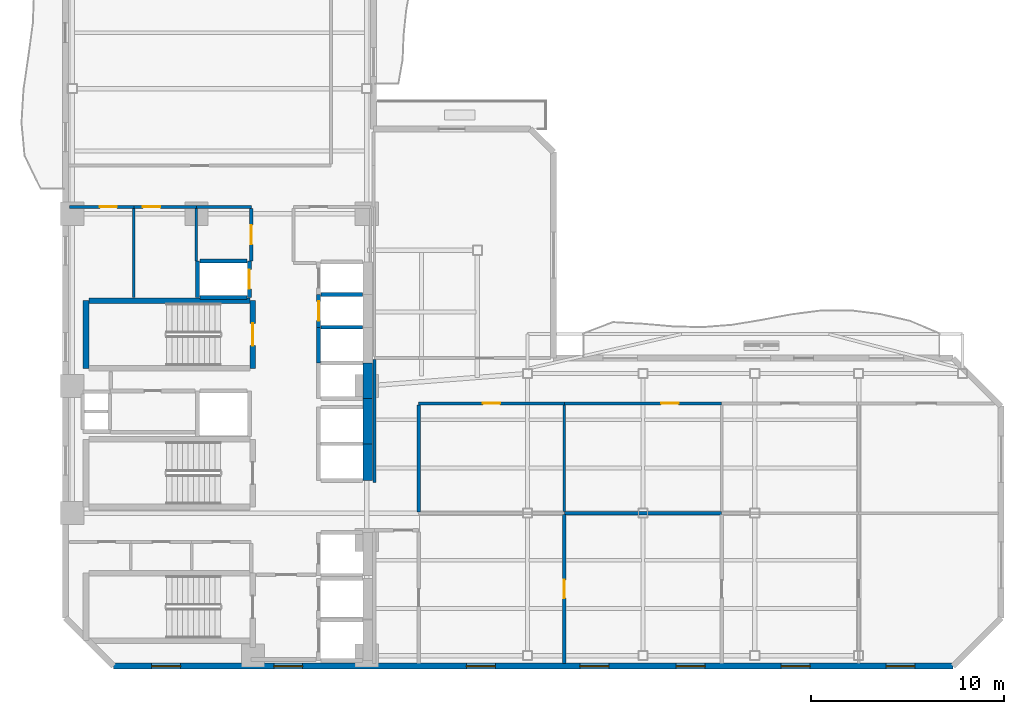
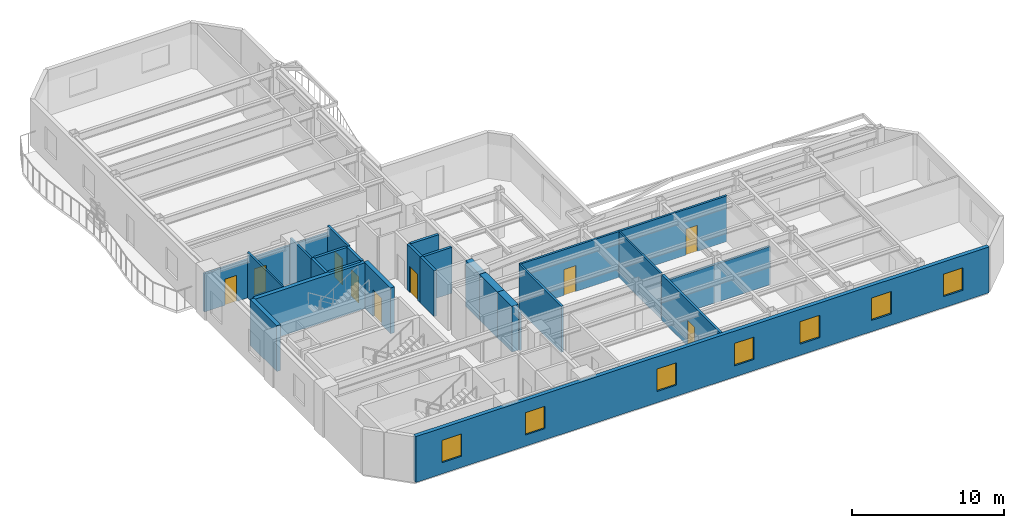
# One storey, part 4 of 10: 28 walls, 9 doors, 7 windows, 16 openings.
"""IFC4 building model written with IfcOpenShell, lengths in metres."""

from ifc_helpers import new_model, si_unit, direction, frame, frame_2d, origin, place, context, subcontext, project, spatial, rectangle, extrude, material, layer, layer_set, type_object, element, fill, save


model = new_model("IFC4")

# Units and contexts
model_context = context("Model", 3, precision=1e-05, world=origin(), true_north=direction((0.0, 1.0)))
body_context = subcontext(model_context, "Body", "Model", "MODEL_VIEW")
ifc_project = project(units=[si_unit("LENGTHUNIT", "METRE"), si_unit("AREAUNIT", "SQUARE_METRE"), si_unit("VOLUMEUNIT", "CUBIC_METRE"), si_unit("PLANEANGLEUNIT", "RADIAN"), si_unit("MASSUNIT", "GRAM", prefix="KILO")], contexts=[model_context])

# Site, building, storey
site_placement = place(None, origin())
site = spatial("IfcSite", under=ifc_project, at=site_placement, CompositionType="ELEMENT")
building_placement = place(site_placement, origin())
building = spatial("IfcBuilding", under=site, at=building_placement, Name="Mawjaban Terraces University", CompositionType="ELEMENT")
storey_placement = place(building_placement, frame((0.0, 0.0, 122.89990234375)))
storey = spatial("IfcBuildingStorey", under=building, at=storey_placement, Name="L29", CompositionType="ELEMENT", Elevation=122.89990234375)

# Wall
ifc_material_1 = material(Name="Acoustic masonry blockwork", Category="masonry")
ifc_layer_1 = layer(ifc_material_1, 0.179931640625)
ifc_layer_set_1 = layer_set([ifc_layer_1], Name="Acoustic masonry blockwork")
wall_type_1 = type_object("IfcWallType", Name="AcousticStudioWall_180", PredefinedType="PARTITIONING", material=ifc_layer_set_1)
wall_1_placement = place(storey_placement, frame((56.080078125, 7.949951171875, 0.0), z_axis=(0.0, 0.0, 1.0), x_axis=(-1.0, 0.0, 0.0)))
element("IfcWall", 1, at=wall_1_placement, inside=storey, type_object=wall_type_1, Name="L29 Media Workshop 4 Partition 21", PredefinedType="PARTITIONING", context=body_context, shape_type="SweptSolid", body=[
    extrude(rectangle(XDim=8.170166015625, YDim=0.179931640625, at=frame_2d((4.0849609375, 0.0))), origin(), (0.0, 0.0, 1.0), 3.072998046875),
])

# Wall, opening, door
wall_2_placement = place(storey_placement, frame((47.909912109375, 0.14501953125, 0.0), z_axis=(0.0, 0.0, 1.0), x_axis=(0.0, 1.0, 0.0)))
wall_2 = element("IfcWall", 2, at=wall_2_placement, inside=storey, type_object=wall_type_1, Name="L29 Quiet Reading Room 2 Partition 44", PredefinedType="PARTITIONING", context=body_context, shape_type="SweptSolid", body=[
    extrude(rectangle(XDim=7.719970703125, YDim=0.179931640625, at=frame_2d((3.85986328125, 0.0))), origin(), (0.0, 0.0, 1.0), 3.690185546875),
])
opening_1_placement = place(wall_2_placement, frame((3.385009765625, 0.0, 0.0)))
opening_1 = element("IfcOpeningElement", 3, at=opening_1_placement, cuts=wall_2, Name="Opening ID-095", PredefinedType="OPENING", context=body_context, shape_type="SweptSolid", body=[
    extrude(rectangle(XDim=0.949951171875, YDim=2.10009765625, at=frame_2d((0.47509765625, 1.050048828125))), frame((0.0, 0.099853515625, 0.0), z_axis=(0.0, -1.0, 0.0), x_axis=(1.0, 0.0, 0.0)), (0.0, 0.0, 1.0), 0.199951171875),
])
ifc_material_2 = material(Name="Powder-coated steel frame and solid acoustic timber leaf", Category="steel")
door_type_1 = type_object("IfcDoorType", Name="StudioDoor_950x2100", OperationType="NOTDEFINED", PredefinedType="DOOR", material=ifc_material_2)
door_1_placement = place(opening_1_placement, origin())
door_1 = element("IfcDoor", 4, at=door_1_placement, inside=storey, type_object=door_type_1, Name="L29 Media Workshop 4 Door", OperationType="SINGLE_SWING_RIGHT", OverallHeight=2.10009765625, OverallWidth=0.949951171875, PredefinedType="DOOR", context=body_context, shape_type="SweptSolid", body=[
    extrude(rectangle(XDim=0.949951171875, YDim=2.10009765625, at=frame_2d((0.47509765625, 1.050048828125))), frame((0.0, 0.02490234375, 0.0), z_axis=(0.0, -1.0, 0.0), x_axis=(1.0, 0.0, 0.0)), (0.0, 0.0, 1.0), 0.050048828125),
])
fill(opening_1, door_1)

# Walls
ifc_material_3 = material(Name="Concrete C60/75", Category="concrete")
ifc_layer_2 = layer(ifc_material_3, 0.5)
ifc_layer_set_2 = layer_set([ifc_layer_2], Name="Concrete C60/75")
wall_type_2 = type_object("IfcWallType", Name="CoreShearWall_500", PredefinedType="SHEAR", material=ifc_layer_set_2)
wall_3_placement = place(storey_placement, frame((37.699951171875, 9.64990234375, 0.0), z_axis=(0.0, 0.0, 1.0), x_axis=(0.0, 1.0, 0.0)))
element("IfcWall", 5, at=wall_3_placement, inside=storey, type_object=wall_type_2, Name="L29 Lift PL-H1 Hoistway Wall East", PredefinedType="SHEAR", context=body_context, shape_type="SweptSolid", body=[
    extrude(rectangle(XDim=1.900146484375, YDim=0.5, at=frame_2d((0.9501953125, 0.0))), origin(), (0.0, 0.0, 1.0), 3.690185546875),
])
wall_4_placement = place(storey_placement, frame((37.699951171875, 11.550048828125, 0.0), z_axis=(0.0, 0.0, 1.0), x_axis=(0.0, 1.0, 0.0)))
element("IfcWall", 6, at=wall_4_placement, inside=storey, type_object=wall_type_2, Name="L29 Lift PL-H2 Hoistway Wall East", PredefinedType="SHEAR", context=body_context, shape_type="SweptSolid", body=[
    extrude(rectangle(XDim=2.349853515625, YDim=0.5, at=frame_2d((1.1748046875, 0.0))), origin(), (0.0, 0.0, 1.0), 3.690185546875),
])
wall_5_placement = place(storey_placement, frame((37.699951171875, 13.89990234375, 0.0), z_axis=(0.0, 0.0, 1.0), x_axis=(0.0, 1.0, 0.0)))
element("IfcWall", 7, at=wall_5_placement, inside=storey, type_object=wall_type_2, Name="L29 Lift OL-1 Hoistway Wall East", PredefinedType="SHEAR", context=body_context, shape_type="SweptSolid", body=[
    extrude(rectangle(XDim=1.85009765625, YDim=0.5, at=frame_2d((0.925048828125, 0.0))), origin(), (0.0, 0.0, 1.0), 3.690185546875),
])

# Wall, opening, door
ifc_material_4 = material(Name="Fire-rated gypsum board on steel stud", Category="steel")
ifc_layer_3 = layer(ifc_material_4, 0.159912109375)
ifc_layer_set_3 = layer_set([ifc_layer_3], Name="Fire-rated gypsum board on steel stud")
wall_type_3 = type_object("IfcWallType", Name="CorridorPartition_160", PredefinedType="PARTITIONING", material=ifc_layer_set_3)
wall_6_placement = place(storey_placement, frame((25.550048828125, 23.85009765625, 0.0), z_axis=(0.0, 0.0, 1.0), x_axis=(-1.0, 0.0, 0.0)))
wall_6 = element("IfcWall", 8, at=wall_6_placement, inside=storey, type_object=wall_type_3, Name="L29 Ablution Room Partition 5", PredefinedType="PARTITIONING", context=body_context, shape_type="SweptSolid", body=[
    extrude(rectangle(XDim=3.35009765625, YDim=0.159912109375, at=frame_2d((1.675048828125, 0.0))), origin(), (0.0, 0.0, 1.0), 3.072998046875),
])
opening_2_placement = place(wall_6_placement, frame((0.885009765625, 0.0, 0.0)))
opening_2 = element("IfcOpeningElement", 9, at=opening_2_placement, cuts=wall_6, Name="Opening ID-088", PredefinedType="OPENING", context=body_context, shape_type="SweptSolid", body=[
    extrude(rectangle(XDim=0.8798828125, YDim=2.10009765625, at=frame_2d((0.43994140625, 1.050048828125))), frame((0.0, 0.08984375, 0.0), z_axis=(0.0, -1.0, 0.0), x_axis=(1.0, 0.0, 0.0)), (0.0, 0.0, 1.0), 0.179931640625),
])
door_type_2 = type_object("IfcDoorType", Name="ToiletDoor_880x2100", OperationType="NOTDEFINED", PredefinedType="DOOR", material=ifc_material_2)
door_2_placement = place(opening_2_placement, origin())
door_2 = element("IfcDoor", 10, at=door_2_placement, inside=storey, type_object=door_type_2, Name="L29 Ablution Room Door", OperationType="SINGLE_SWING_LEFT", OverallHeight=2.10009765625, OverallWidth=0.8798828125, PredefinedType="DOOR", context=body_context, shape_type="SweptSolid", body=[
    extrude(rectangle(XDim=0.8798828125, YDim=2.10009765625, at=frame_2d((0.43994140625, 1.050048828125))), frame((0.0, 0.02490234375, 0.0), z_axis=(0.0, -1.0, 0.0), x_axis=(1.0, 0.0, 0.0)), (0.0, 0.0, 1.0), 0.050048828125),
])
fill(opening_2, door_2)

wall_7_placement = place(storey_placement, frame((28.800048828125, 23.85009765625, 0.0), z_axis=(0.0, 0.0, 1.0), x_axis=(-1.0, 0.0, 0.0)))
wall_7 = element("IfcWall", 11, at=wall_7_placement, inside=storey, type_object=wall_type_3, Name="L29 Cleaner Store Partition 7", PredefinedType="PARTITIONING", context=body_context, shape_type="SweptSolid", body=[
    extrude(rectangle(XDim=3.25, YDim=0.159912109375, at=frame_2d((1.625, 0.0))), origin(), (0.0, 0.0, 1.0), 3.072998046875),
])
opening_3_placement = place(wall_7_placement, frame((1.875, 0.0, 0.0)))
opening_3 = element("IfcOpeningElement", 12, at=opening_3_placement, cuts=wall_7, Name="Opening ID-090", PredefinedType="OPENING", context=body_context, shape_type="SweptSolid", body=[
    extrude(rectangle(XDim=0.89990234375, YDim=2.10009765625, at=frame_2d((0.449951171875, 1.050048828125))), frame((0.0, 0.08984375, 0.0), z_axis=(0.0, -1.0, 0.0), x_axis=(1.0, 0.0, 0.0)), (0.0, 0.0, 1.0), 0.179931640625),
])
door_type_3 = type_object("IfcDoorType", Name="OfficeDoor_900x2100", OperationType="NOTDEFINED", PredefinedType="DOOR", material=ifc_material_2)
door_3_placement = place(opening_3_placement, origin())
door_3 = element("IfcDoor", 13, at=door_3_placement, inside=storey, type_object=door_type_3, Name="L29 Cleaner Store Door", OperationType="SINGLE_SWING_RIGHT", OverallHeight=2.10009765625, OverallWidth=0.89990234375, PredefinedType="DOOR", context=body_context, shape_type="SweptSolid", body=[
    extrude(rectangle(XDim=0.89990234375, YDim=2.10009765625, at=frame_2d((0.449951171875, 1.050048828125))), frame((0.0, 0.02490234375, 0.0), z_axis=(0.0, -1.0, 0.0), x_axis=(1.0, 0.0, 0.0)), (0.0, 0.0, 1.0), 0.050048828125),
])
fill(opening_3, door_3)

# Wall
wall_8_placement = place(storey_placement, frame((31.64990234375, 23.85009765625, 0.0), z_axis=(0.0, 0.0, 1.0), x_axis=(-1.0, 0.0, 0.0)))
element("IfcWall", 14, at=wall_8_placement, inside=storey, type_object=wall_type_3, Name="L29 Academic Tutorial Alcove Partition 9", PredefinedType="PARTITIONING", context=body_context, shape_type="SweptSolid", body=[
    extrude(rectangle(XDim=2.849853515625, YDim=0.159912109375, at=frame_2d((1.4248046875, 0.0))), origin(), (0.0, 0.0, 1.0), 3.072998046875),
])

# Wall, opening, door
wall_9_placement = place(storey_placement, frame((40.35009765625, 13.64990234375, 0.0), z_axis=(0.0, 0.0, 1.0), x_axis=(1.0, 0.0, 0.0)))
wall_9 = element("IfcWall", 15, at=wall_9_placement, inside=storey, type_object=wall_type_3, Name="L29 Inner Terrace Gallery Corridor East Partition 16", PredefinedType="PARTITIONING", context=body_context, shape_type="SweptSolid", body=[
    extrude(rectangle(XDim=7.559814453125, YDim=0.159912109375, at=frame_2d((3.77978515625, 0.0))), origin(), (0.0, 0.0, 1.0), 3.690185546875),
])
opening_4_placement = place(wall_9_placement, frame((3.330078125, 0.0, 0.0)))
opening_4 = element("IfcOpeningElement", 16, at=opening_4_placement, cuts=wall_9, Name="Opening ID-090", PredefinedType="OPENING", context=body_context, shape_type="SweptSolid", body=[
    extrude(rectangle(XDim=0.89990234375, YDim=2.10009765625, at=frame_2d((0.449951171875, 1.050048828125))), frame((0.0, 0.08984375, 0.0), z_axis=(0.0, -1.0, 0.0), x_axis=(1.0, 0.0, 0.0)), (0.0, 0.0, 1.0), 0.179931640625),
])
door_4_placement = place(opening_4_placement, origin())
door_4 = element("IfcDoor", 17, at=door_4_placement, inside=storey, type_object=door_type_3, Name="L29 Reading Salon 3 Door", OperationType="SINGLE_SWING_LEFT", OverallHeight=2.10009765625, OverallWidth=0.89990234375, PredefinedType="DOOR", context=body_context, shape_type="SweptSolid", body=[
    extrude(rectangle(XDim=0.89990234375, YDim=2.10009765625, at=frame_2d((0.449951171875, 1.050048828125))), frame((0.0, 0.02490234375, 0.0), z_axis=(0.0, -1.0, 0.0), x_axis=(1.0, 0.0, 0.0)), (0.0, 0.0, 1.0), 0.050048828125),
])
fill(opening_4, door_4)

wall_10_placement = place(storey_placement, frame((47.909912109375, 13.64990234375, 0.0), z_axis=(0.0, 0.0, 1.0), x_axis=(1.0, 0.0, 0.0)))
wall_10 = element("IfcWall", 18, at=wall_10_placement, inside=storey, type_object=wall_type_3, Name="L29 Inner Terrace Gallery Corridor East Partition 20", PredefinedType="PARTITIONING", context=body_context, shape_type="SweptSolid", body=[
    extrude(rectangle(XDim=8.170166015625, YDim=0.159912109375, at=frame_2d((4.0849609375, 0.0))), origin(), (0.0, 0.0, 1.0), 3.690185546875),
])
opening_5_placement = place(wall_10_placement, frame((5.034912109375, 0.0, 0.0)))
opening_5 = element("IfcOpeningElement", 19, at=opening_5_placement, cuts=wall_10, Name="Opening ID-090", PredefinedType="OPENING", context=body_context, shape_type="SweptSolid", body=[
    extrude(rectangle(XDim=0.89990234375, YDim=2.10009765625, at=frame_2d((0.449951171875, 1.050048828125))), frame((0.0, 0.08984375, 0.0), z_axis=(0.0, -1.0, 0.0), x_axis=(1.0, 0.0, 0.0)), (0.0, 0.0, 1.0), 0.179931640625),
])
door_5_placement = place(opening_5_placement, origin())
door_5 = element("IfcDoor", 20, at=door_5_placement, inside=storey, type_object=door_type_3, Name="L29 Quiet Reading Room 5 Door", OperationType="SINGLE_SWING_LEFT", OverallHeight=2.10009765625, OverallWidth=0.89990234375, PredefinedType="DOOR", context=body_context, shape_type="SweptSolid", body=[
    extrude(rectangle(XDim=0.89990234375, YDim=2.10009765625, at=frame_2d((0.449951171875, 1.050048828125))), frame((0.0, 0.02490234375, 0.0), z_axis=(0.0, -1.0, 0.0), x_axis=(1.0, 0.0, 0.0)), (0.0, 0.0, 1.0), 0.050048828125),
])
fill(opening_5, door_5)

wall_11_placement = place(storey_placement, frame((31.64990234375, 23.77490234375, 0.0), z_axis=(0.0, 0.0, 1.0), x_axis=(0.0, -1.0, 0.0)))
wall_11 = element("IfcWall", 21, at=wall_11_placement, inside=storey, type_object=wall_type_3, Name="L29 Core North Lift Lobby Partition 32", PredefinedType="PARTITIONING", context=body_context, shape_type="SweptSolid", body=[
    extrude(rectangle(XDim=2.724853515625, YDim=0.159912109375, at=frame_2d((1.3623046875, 0.0))), origin(), (0.0, 0.0, 1.0), 3.690185546875),
])
opening_6_placement = place(wall_11_placement, frame((0.862060546875, 0.0, 0.0)))
opening_6 = element("IfcOpeningElement", 22, at=opening_6_placement, cuts=wall_11, Name="Opening ID-100", PredefinedType="OPENING", context=body_context, shape_type="SweptSolid", body=[
    extrude(rectangle(XDim=1.0, YDim=2.10009765625, at=frame_2d((0.5, 1.050048828125))), frame((0.0, 0.08984375, 0.0), z_axis=(0.0, -1.0, 0.0), x_axis=(1.0, 0.0, 0.0)), (0.0, 0.0, 1.0), 0.179931640625),
])
door_type_4 = type_object("IfcDoorType", Name="ClassroomDoor_1000x2100", OperationType="NOTDEFINED", PredefinedType="DOOR", material=ifc_material_2)
door_6_placement = place(opening_6_placement, origin())
door_6 = element("IfcDoor", 23, at=door_6_placement, inside=storey, type_object=door_type_4, Name="L29 Academic Tutorial Alcove Door", OperationType="SINGLE_SWING_RIGHT", OverallHeight=2.10009765625, OverallWidth=1.0, PredefinedType="DOOR", context=body_context, shape_type="SweptSolid", body=[
    extrude(rectangle(XDim=1.0, YDim=2.10009765625, at=frame_2d((0.5, 1.050048828125))), frame((0.0, 0.02490234375, 0.0), z_axis=(0.0, -1.0, 0.0), x_axis=(1.0, 0.0, 0.0)), (0.0, 0.0, 1.0), 0.050048828125),
])
fill(opening_6, door_6)

# Walls
wall_12_placement = place(storey_placement, frame((38.050048828125, 15.925048828125, 0.0), z_axis=(0.0, 0.0, 1.0), x_axis=(0.0, -1.0, 0.0)))
element("IfcWall", 24, at=wall_12_placement, inside=storey, type_object=wall_type_3, Name="L29 Inner Gallery Link Corridor Partition 40", PredefinedType="PARTITIONING", context=body_context, shape_type="SweptSolid", body=[
    extrude(rectangle(XDim=6.375, YDim=0.159912109375, at=frame_2d((3.1875, 0.0))), origin(), (0.0, 0.0, 1.0), 3.072998046875),
])
wall_13_placement = place(storey_placement, frame((40.35009765625, 8.008056640625, 0.0), z_axis=(0.0, 0.0, 1.0), x_axis=(0.0, 1.0, 0.0)))
element("IfcWall", 25, at=wall_13_placement, inside=storey, type_object=wall_type_3, Name="L29 Inner Gallery Link Corridor Partition 43", PredefinedType="PARTITIONING", context=body_context, shape_type="SweptSolid", body=[
    extrude(rectangle(XDim=5.56689453125, YDim=0.159912109375, at=frame_2d((2.783447265625, 0.0))), origin(), (0.0, 0.0, 1.0), 3.690185546875),
])

# Wall, openings, windows
ifc_material_5 = material(Name="Insulated terracotta rainscreen on concrete backup C40/50", Category="masonry")
ifc_layer_4 = layer(ifc_material_5, 0.300048828125)
ifc_layer_set_4 = layer_set([ifc_layer_4], Name="Insulated terracotta rainscreen on concrete backup C40/50")
wall_type_4 = type_object("IfcWallType", Name="ExtTerracottaWall_300", PredefinedType="SOLIDWALL", material=ifc_layer_set_4)
wall_14_placement = place(storey_placement, frame((24.5, 0.0, 0.0), z_axis=(0.0, 0.0, 1.0), x_axis=(1.0, 0.0, 0.0)))
wall_14 = element("IfcWall", 26, at=wall_14_placement, inside=storey, type_object=wall_type_4, Name="L29 Exterior Terracotta Wall 1", PredefinedType="SOLIDWALL", context=body_context, shape_type="SweptSolid", body=[
    extrude(rectangle(XDim=43.60009765625, YDim=0.300048828125, at=frame_2d((21.800048828125, 0.0))), origin(), (0.0, 0.0, 1.0), 3.690185546875),
])
opening_7_placement = place(wall_14_placement, frame((1.97509765625, 0.0, 0.89990234375)))
opening_7 = element("IfcOpeningElement", 27, at=opening_7_placement, cuts=wall_14, Name="Opening W-06", PredefinedType="OPENING", context=body_context, shape_type="SweptSolid", body=[
    extrude(rectangle(XDim=1.5, YDim=1.800048828125, at=frame_2d((0.75, 0.89990234375))), frame((0.0, 0.159912109375, 0.0), z_axis=(0.0, -1.0, 0.0), x_axis=(1.0, 0.0, 0.0)), (0.0, 0.0, 1.0), 0.320068359375),
])
opening_8_placement = place(wall_14_placement, frame((8.324951171875, 0.0, 0.89990234375)))
opening_8 = element("IfcOpeningElement", 28, at=opening_8_placement, cuts=wall_14, Name="Opening W-06", PredefinedType="OPENING", context=body_context, shape_type="SweptSolid", body=[
    extrude(rectangle(XDim=1.5, YDim=1.800048828125, at=frame_2d((0.75, 0.89990234375))), frame((0.0, 0.159912109375, 0.0), z_axis=(0.0, -1.0, 0.0), x_axis=(1.0, 0.0, 0.0)), (0.0, 0.0, 1.0), 0.320068359375),
])
opening_9_placement = place(wall_14_placement, frame((18.324951171875, 0.0, 0.89990234375)))
opening_9 = element("IfcOpeningElement", 29, at=opening_9_placement, cuts=wall_14, Name="Opening W-06", PredefinedType="OPENING", context=body_context, shape_type="SweptSolid", body=[
    extrude(rectangle(XDim=1.5, YDim=1.800048828125, at=frame_2d((0.75, 0.89990234375))), frame((0.0, 0.159912109375, 0.0), z_axis=(0.0, -1.0, 0.0), x_axis=(1.0, 0.0, 0.0)), (0.0, 0.0, 1.0), 0.320068359375),
])
opening_10_placement = place(wall_14_placement, frame((24.22509765625, 0.0, 0.89990234375)))
opening_10 = element("IfcOpeningElement", 30, at=opening_10_placement, cuts=wall_14, Name="Opening W-06", PredefinedType="OPENING", context=body_context, shape_type="SweptSolid", body=[
    extrude(rectangle(XDim=1.5, YDim=1.800048828125, at=frame_2d((0.75, 0.89990234375))), frame((0.0, 0.159912109375, 0.0), z_axis=(0.0, -1.0, 0.0), x_axis=(1.0, 0.0, 0.0)), (0.0, 0.0, 1.0), 0.320068359375),
])
opening_11_placement = place(wall_14_placement, frame((29.22509765625, 0.0, 0.89990234375)))
opening_11 = element("IfcOpeningElement", 31, at=opening_11_placement, cuts=wall_14, Name="Opening W-06", PredefinedType="OPENING", context=body_context, shape_type="SweptSolid", body=[
    extrude(rectangle(XDim=1.5, YDim=1.800048828125, at=frame_2d((0.75, 0.89990234375))), frame((0.0, 0.159912109375, 0.0), z_axis=(0.0, -1.0, 0.0), x_axis=(1.0, 0.0, 0.0)), (0.0, 0.0, 1.0), 0.320068359375),
])
opening_12_placement = place(wall_14_placement, frame((34.675048828125, 0.0, 0.89990234375)))
opening_12 = element("IfcOpeningElement", 32, at=opening_12_placement, cuts=wall_14, Name="Opening W-06", PredefinedType="OPENING", context=body_context, shape_type="SweptSolid", body=[
    extrude(rectangle(XDim=1.5, YDim=1.800048828125, at=frame_2d((0.75, 0.89990234375))), frame((0.0, 0.159912109375, 0.0), z_axis=(0.0, -1.0, 0.0), x_axis=(1.0, 0.0, 0.0)), (0.0, 0.0, 1.0), 0.320068359375),
])
opening_13_placement = place(wall_14_placement, frame((40.125, 0.0, 0.89990234375)))
opening_13 = element("IfcOpeningElement", 33, at=opening_13_placement, cuts=wall_14, Name="Opening W-06", PredefinedType="OPENING", context=body_context, shape_type="SweptSolid", body=[
    extrude(rectangle(XDim=1.5, YDim=1.800048828125, at=frame_2d((0.75, 0.89990234375))), frame((0.0, 0.159912109375, 0.0), z_axis=(0.0, -1.0, 0.0), x_axis=(1.0, 0.0, 0.0)), (0.0, 0.0, 1.0), 0.320068359375),
])
ifc_material_6 = material(Name="Low-E solar-control double glazing in thermally broken aluminium frame", Category="aluminium")
window_type = type_object("IfcWindowType", Name="Win_1500x1800", PartitioningType="SINGLE_PANEL", PredefinedType="WINDOW", material=ifc_material_6)
window_1_placement = place(opening_7_placement, origin())
window_1 = element("IfcWindow", 34, at=window_1_placement, inside=storey, type_object=window_type, Name="L29 Facade Window 1.1", OverallHeight=1.800048828125, OverallWidth=1.5, PartitioningType="SINGLE_PANEL", PredefinedType="WINDOW", context=body_context, shape_type="SweptSolid", body=[
    extrude(rectangle(XDim=1.5, YDim=1.800048828125, at=frame_2d((0.75, 0.89990234375))), frame((0.0, 0.030029296875, 0.0), z_axis=(0.0, -1.0, 0.0), x_axis=(1.0, 0.0, 0.0)), (0.0, 0.0, 1.0), 0.06005859375),
])
fill(opening_7, window_1)
window_2_placement = place(opening_8_placement, origin())
window_2 = element("IfcWindow", 35, at=window_2_placement, inside=storey, type_object=window_type, Name="L29 Facade Window 1.2", OverallHeight=1.800048828125, OverallWidth=1.5, PartitioningType="SINGLE_PANEL", PredefinedType="WINDOW", context=body_context, shape_type="SweptSolid", body=[
    extrude(rectangle(XDim=1.5, YDim=1.800048828125, at=frame_2d((0.75, 0.89990234375))), frame((0.0, 0.030029296875, 0.0), z_axis=(0.0, -1.0, 0.0), x_axis=(1.0, 0.0, 0.0)), (0.0, 0.0, 1.0), 0.06005859375),
])
fill(opening_8, window_2)
window_3_placement = place(opening_9_placement, origin())
window_3 = element("IfcWindow", 36, at=window_3_placement, inside=storey, type_object=window_type, Name="L29 Facade Window 1.4", OverallHeight=1.800048828125, OverallWidth=1.5, PartitioningType="SINGLE_PANEL", PredefinedType="WINDOW", context=body_context, shape_type="SweptSolid", body=[
    extrude(rectangle(XDim=1.5, YDim=1.800048828125, at=frame_2d((0.75, 0.89990234375))), frame((0.0, 0.030029296875, 0.0), z_axis=(0.0, -1.0, 0.0), x_axis=(1.0, 0.0, 0.0)), (0.0, 0.0, 1.0), 0.06005859375),
])
fill(opening_9, window_3)
window_4_placement = place(opening_10_placement, origin())
window_4 = element("IfcWindow", 37, at=window_4_placement, inside=storey, type_object=window_type, Name="L29 Facade Window 1.5", OverallHeight=1.800048828125, OverallWidth=1.5, PartitioningType="SINGLE_PANEL", PredefinedType="WINDOW", context=body_context, shape_type="SweptSolid", body=[
    extrude(rectangle(XDim=1.5, YDim=1.800048828125, at=frame_2d((0.75, 0.89990234375))), frame((0.0, 0.030029296875, 0.0), z_axis=(0.0, -1.0, 0.0), x_axis=(1.0, 0.0, 0.0)), (0.0, 0.0, 1.0), 0.06005859375),
])
fill(opening_10, window_4)
window_5_placement = place(opening_11_placement, origin())
window_5 = element("IfcWindow", 38, at=window_5_placement, inside=storey, type_object=window_type, Name="L29 Facade Window 1.6", OverallHeight=1.800048828125, OverallWidth=1.5, PartitioningType="SINGLE_PANEL", PredefinedType="WINDOW", context=body_context, shape_type="SweptSolid", body=[
    extrude(rectangle(XDim=1.5, YDim=1.800048828125, at=frame_2d((0.75, 0.89990234375))), frame((0.0, 0.030029296875, 0.0), z_axis=(0.0, -1.0, 0.0), x_axis=(1.0, 0.0, 0.0)), (0.0, 0.0, 1.0), 0.06005859375),
])
fill(opening_11, window_5)
window_6_placement = place(opening_12_placement, origin())
window_6 = element("IfcWindow", 39, at=window_6_placement, inside=storey, type_object=window_type, Name="L29 Facade Window 1.7", OverallHeight=1.800048828125, OverallWidth=1.5, PartitioningType="SINGLE_PANEL", PredefinedType="WINDOW", context=body_context, shape_type="SweptSolid", body=[
    extrude(rectangle(XDim=1.5, YDim=1.800048828125, at=frame_2d((0.75, 0.89990234375))), frame((0.0, 0.030029296875, 0.0), z_axis=(0.0, -1.0, 0.0), x_axis=(1.0, 0.0, 0.0)), (0.0, 0.0, 1.0), 0.06005859375),
])
fill(opening_12, window_6)
window_7_placement = place(opening_13_placement, origin())
window_7 = element("IfcWindow", 40, at=window_7_placement, inside=storey, type_object=window_type, Name="L29 Facade Window 1.8", OverallHeight=1.800048828125, OverallWidth=1.5, PartitioningType="SINGLE_PANEL", PredefinedType="WINDOW", context=body_context, shape_type="SweptSolid", body=[
    extrude(rectangle(XDim=1.5, YDim=1.800048828125, at=frame_2d((0.75, 0.89990234375))), frame((0.0, 0.030029296875, 0.0), z_axis=(0.0, -1.0, 0.0), x_axis=(1.0, 0.0, 0.0)), (0.0, 0.0, 1.0), 0.06005859375),
])
fill(opening_13, window_7)

# Walls
ifc_material_7 = material(Name="Concrete C40/50", Category="concrete")
ifc_layer_5 = layer(ifc_material_7, 0.199951171875)
ifc_layer_set_5 = layer_set([ifc_layer_5], Name="Concrete C40/50")
wall_type_5 = type_object("IfcWallType", Name="FireLobbyWall_200", PredefinedType="SOLIDWALL", material=ifc_layer_set_5)
wall_15_placement = place(storey_placement, frame((35.14990234375, 17.60009765625, 0.0), z_axis=(0.0, 0.0, 1.0), x_axis=(0.0, -1.0, 0.0)))
element("IfcWall", 41, at=wall_15_placement, inside=storey, type_object=wall_type_5, Name="L29 Lift OL-2 Hoistway Wall West", PredefinedType="SOLIDWALL", context=body_context, shape_type="SweptSolid", body=[
    extrude(rectangle(XDim=1.85009765625, YDim=0.199951171875, at=frame_2d((0.925048828125, 0.0))), origin(), (0.0, 0.0, 1.0), 3.690185546875),
])
wall_16_placement = place(storey_placement, frame((37.419921875, 17.60009765625, 0.0), z_axis=(0.0, 0.0, 1.0), x_axis=(-1.0, 0.0, 0.0)))
element("IfcWall", 42, at=wall_16_placement, inside=storey, type_object=wall_type_5, Name="L29 Lift OL-2 Hoistway Wall North", PredefinedType="SOLIDWALL", context=body_context, shape_type="SweptSolid", body=[
    extrude(rectangle(XDim=2.139892578125, YDim=0.199951171875, at=frame_2d((1.06982421875, 0.0))), origin(), (0.0, 0.0, 1.0), 3.690185546875),
])

# Wall, opening, door
wall_17_placement = place(storey_placement, frame((35.14990234375, 19.300048828125, 0.0), z_axis=(0.0, 0.0, 1.0), x_axis=(0.0, -1.0, 0.0)))
wall_17 = element("IfcWall", 43, at=wall_17_placement, inside=storey, type_object=wall_type_5, Name="L29 Lift PL-M1 Hoistway Wall West", PredefinedType="SOLIDWALL", context=body_context, shape_type="SweptSolid", body=[
    extrude(rectangle(XDim=1.699951171875, YDim=0.199951171875, at=frame_2d((0.85009765625, 0.0))), origin(), (0.0, 0.0, 1.0), 3.690185546875),
])
opening_14_placement = place(wall_17_placement, frame((0.35009765625, 0.0, 0.0)))
opening_14 = element("IfcOpeningElement", 44, at=opening_14_placement, cuts=wall_17, Name="Opening LD-PL-M1", PredefinedType="OPENING", context=body_context, shape_type="SweptSolid", body=[
    extrude(rectangle(XDim=1.0, YDim=2.10009765625, at=frame_2d((0.5, 1.050048828125))), frame((0.0, 0.10986328125, 0.0), z_axis=(0.0, -1.0, 0.0), x_axis=(1.0, 0.0, 0.0)), (0.0, 0.0, 1.0), 0.219970703125),
])
ifc_material_8 = material(Name="Powder-coated steel frame and fire-rated steel-faced leaf", Category="steel")
door_type_5 = type_object("IfcDoorType", Name="LiftLandingSliding_1000x2100", OperationType="NOTDEFINED", PredefinedType="DOOR", material=ifc_material_8)
door_7_placement = place(opening_14_placement, origin())
door_7 = element("IfcDoor", 45, at=door_7_placement, inside=storey, type_object=door_type_5, Name="L29 Lift PL-M1 Sliding Landing Door", OperationType="DOUBLE_DOOR_SLIDING", OverallHeight=2.10009765625, OverallWidth=1.0, PredefinedType="DOOR", context=body_context, shape_type="SweptSolid", body=[
    extrude(rectangle(XDim=1.0, YDim=2.10009765625, at=frame_2d((0.5, 1.050048828125))), frame((0.0, 0.02490234375, 0.0), z_axis=(0.0, -1.0, 0.0), x_axis=(1.0, 0.0, 0.0)), (0.0, 0.0, 1.0), 0.050048828125),
])
fill(opening_14, door_7)

# Walls
wall_18_placement = place(storey_placement, frame((37.419921875, 19.300048828125, 0.0), z_axis=(0.0, 0.0, 1.0), x_axis=(-1.0, 0.0, 0.0)))
element("IfcWall", 46, at=wall_18_placement, inside=storey, type_object=wall_type_5, Name="L29 Lift PL-M1 Hoistway Wall North", PredefinedType="SOLIDWALL", context=body_context, shape_type="SweptSolid", body=[
    extrude(rectangle(XDim=2.139892578125, YDim=0.199951171875, at=frame_2d((1.06982421875, 0.0))), origin(), (0.0, 0.0, 1.0), 3.690185546875),
])
wall_19_placement = place(storey_placement, frame((28.85009765625, 21.050048828125, 0.0), z_axis=(0.0, 0.0, 1.0), x_axis=(0.0, -1.0, 0.0)))
element("IfcWall", 47, at=wall_19_placement, inside=storey, type_object=wall_type_5, Name="L29 Lift PL-M3 Hoistway Wall West", PredefinedType="SOLIDWALL", context=body_context, shape_type="SweptSolid", body=[
    extrude(rectangle(XDim=1.900146484375, YDim=0.199951171875, at=frame_2d((0.9501953125, 0.0))), origin(), (0.0, 0.0, 1.0), 3.690185546875),
])

# Wall, opening, door
wall_20_placement = place(storey_placement, frame((31.550048828125, 19.14990234375, 0.0), z_axis=(0.0, 0.0, 1.0), x_axis=(0.0, 1.0, 0.0)))
wall_20 = element("IfcWall", 48, at=wall_20_placement, inside=storey, type_object=wall_type_5, Name="L29 Lift PL-M3 Hoistway Wall East", PredefinedType="SOLIDWALL", context=body_context, shape_type="SweptSolid", body=[
    extrude(rectangle(XDim=1.900146484375, YDim=0.199951171875, at=frame_2d((0.9501953125, 0.0))), origin(), (0.0, 0.0, 1.0), 3.690185546875),
])
opening_15_placement = place(wall_20_placement, frame((0.449951171875, 0.0, 0.0)))
opening_15 = element("IfcOpeningElement", 49, at=opening_15_placement, cuts=wall_20, Name="Opening LD-PL-M3", PredefinedType="OPENING", context=body_context, shape_type="SweptSolid", body=[
    extrude(rectangle(XDim=1.0, YDim=2.10009765625, at=frame_2d((0.5, 1.050048828125))), frame((0.0, 0.10986328125, 0.0), z_axis=(0.0, -1.0, 0.0), x_axis=(1.0, 0.0, 0.0)), (0.0, 0.0, 1.0), 0.219970703125),
])
door_8_placement = place(opening_15_placement, origin())
door_8 = element("IfcDoor", 50, at=door_8_placement, inside=storey, type_object=door_type_5, Name="L29 Lift PL-M3 Sliding Landing Door", OperationType="DOUBLE_DOOR_SLIDING", OverallHeight=2.10009765625, OverallWidth=1.0, PredefinedType="DOOR", context=body_context, shape_type="SweptSolid", body=[
    extrude(rectangle(XDim=1.0, YDim=2.10009765625, at=frame_2d((0.5, 1.050048828125))), frame((0.0, 0.02490234375, 0.0), z_axis=(0.0, -1.0, 0.0), x_axis=(1.0, 0.0, 0.0)), (0.0, 0.0, 1.0), 0.050048828125),
])
fill(opening_15, door_8)

# Walls
for number, where, z_axis, x_axis, name in (
    (51, (28.97998046875, 19.14990234375, 0.0), (0.0, 0.0, 1.0), (1.0, 0.0, 0.0), "L29 Lift PL-M3 Hoistway Wall South"),
    (52, (31.419921875, 21.050048828125, 0.0), (0.0, 0.0, 1.0), (-1.0, 0.0, 0.0), "L29 Lift PL-M3 Hoistway Wall North"),
):
    element("IfcWall", number, at=place(storey_placement, frame(where, z_axis=z_axis, x_axis=x_axis)), inside=storey, type_object=wall_type_5, Name=name, PredefinedType="SOLIDWALL", context=body_context, shape_type="SweptSolid", body=[
        extrude(rectangle(XDim=2.43994140625, YDim=0.199951171875, at=frame_2d((1.219970703125, 0.0))), origin(), (0.0, 0.0, 1.0), 3.690185546875),
    ])
ifc_material_9 = material(Name="Gypsum plasterboard on steel stud", Category="steel")
ifc_layer_6 = layer(ifc_material_9, 0.125)
ifc_layer_set_6 = layer_set([ifc_layer_6], Name="Gypsum plasterboard on steel stud")
wall_type_6 = type_object("IfcWallType", Name="OfficePartition_125", PredefinedType="PARTITIONING", material=ifc_layer_set_6)
wall_21_placement = place(storey_placement, frame((28.800048828125, 23.77490234375, 0.0), z_axis=(0.0, 0.0, 1.0), x_axis=(0.0, -1.0, 0.0)))
element("IfcWall", 53, at=wall_21_placement, inside=storey, type_object=wall_type_6, Name="L29 Academic Tutorial Alcove Partition 30", PredefinedType="PARTITIONING", context=body_context, shape_type="SweptSolid", body=[
    extrude(rectangle(XDim=2.724853515625, YDim=0.125, at=frame_2d((1.3623046875, 0.0))), origin(), (0.0, 0.0, 1.0), 3.690185546875),
])
wall_22_placement = place(storey_placement, frame((47.909912109375, 8.034912109375, 0.0), z_axis=(0.0, 0.0, 1.0), x_axis=(0.0, 1.0, 0.0)))
element("IfcWall", 54, at=wall_22_placement, inside=storey, type_object=wall_type_6, Name="L29 Reading Salon 3 Partition 45", PredefinedType="PARTITIONING", context=body_context, shape_type="SweptSolid", body=[
    extrude(rectangle(XDim=5.5400390625, YDim=0.125, at=frame_2d((2.77001953125, 0.0))), origin(), (0.0, 0.0, 1.0), 3.690185546875),
])
ifc_layer_7 = layer(ifc_material_3, 0.300048828125)
ifc_layer_set_7 = layer_set([ifc_layer_7], Name="Concrete C60/75")
wall_type_7 = type_object("IfcWallType", Name="StairShaftWall_300", PredefinedType="SHEAR", material=ifc_layer_set_7)
wall_23_placement = place(storey_placement, frame((31.580078125, 18.97998046875, 0.0), z_axis=(0.0, 0.0, 1.0), x_axis=(-1.0, 0.0, 0.0)))
element("IfcWall", 55, at=wall_23_placement, inside=storey, type_object=wall_type_7, Name="L29 ST-2 Stair Shaft Wall 1", PredefinedType="SHEAR", context=body_context, shape_type="SweptSolid", body=[
    extrude(rectangle(XDim=8.360107421875, YDim=0.300048828125, at=frame_2d((4.18017578125, 0.0))), origin(), (0.0, 0.0, 1.0), 3.690185546875),
])
wall_24_placement = place(storey_placement, frame((23.070068359375, 18.97998046875, 0.0), z_axis=(0.0, 0.0, 1.0), x_axis=(0.0, -1.0, 0.0)))
element("IfcWall", 56, at=wall_24_placement, inside=storey, type_object=wall_type_7, Name="L29 ST-2 Stair Shaft Wall 2", PredefinedType="SHEAR", context=body_context, shape_type="SweptSolid", body=[
    extrude(rectangle(XDim=3.510009765625, YDim=0.300048828125, at=frame_2d((1.7548828125, 0.0))), origin(), (0.0, 0.0, 1.0), 3.690185546875),
])

# Wall, opening, door
wall_25_placement = place(storey_placement, frame((31.72998046875, 15.469970703125, 0.0), z_axis=(0.0, 0.0, 1.0), x_axis=(0.0, 1.0, 0.0)))
wall_25 = element("IfcWall", 57, at=wall_25_placement, inside=storey, type_object=wall_type_7, Name="L29 ST-2 Stair Shaft Wall 4", PredefinedType="SHEAR", context=body_context, shape_type="SweptSolid", body=[
    extrude(rectangle(XDim=3.510009765625, YDim=0.300048828125, at=frame_2d((1.7548828125, 0.0))), origin(), (0.0, 0.0, 1.0), 3.690185546875),
])
opening_16_placement = place(wall_25_placement, frame((1.179931640625, 0.0, 0.0)))
opening_16 = element("IfcOpeningElement", 58, at=opening_16_placement, cuts=wall_25, Name="Opening FD-115", PredefinedType="OPENING", context=body_context, shape_type="SweptSolid", body=[
    extrude(rectangle(XDim=1.14990234375, YDim=2.14990234375, at=frame_2d((0.574951171875, 1.074951171875))), frame((0.0, 0.159912109375, 0.0), z_axis=(0.0, -1.0, 0.0), x_axis=(1.0, 0.0, 0.0)), (0.0, 0.0, 1.0), 0.320068359375),
])
door_type_6 = type_object("IfcDoorType", Name="FireStairDoor_1150x2150", OperationType="NOTDEFINED", PredefinedType="DOOR", material=ifc_material_8)
door_9_placement = place(opening_16_placement, origin())
door_9 = element("IfcDoor", 59, at=door_9_placement, inside=storey, type_object=door_type_6, Name="L29 ST-2 Pressurised Stair Fire Door", OperationType="SINGLE_SWING_RIGHT", OverallHeight=2.14990234375, OverallWidth=1.14990234375, PredefinedType="DOOR", context=body_context, shape_type="SweptSolid", body=[
    extrude(rectangle(XDim=1.14990234375, YDim=2.14990234375, at=frame_2d((0.574951171875, 1.074951171875))), frame((0.0, 0.02490234375, 0.0), z_axis=(0.0, -1.0, 0.0), x_axis=(1.0, 0.0, 0.0)), (0.0, 0.0, 1.0), 0.050048828125),
])
fill(opening_16, door_9)

# Wall
ifc_material_10 = material(Name="Cement-board wet-room partition", Category="masonry")
ifc_layer_8 = layer(ifc_material_10, 0.135009765625)
ifc_layer_set_8 = layer_set([ifc_layer_8], Name="Cement-board wet-room partition")
wall_type_8 = type_object("IfcWallType", Name="WetRoomPartition_135", PredefinedType="PARTITIONING", material=ifc_layer_set_8)
wall_26_placement = place(storey_placement, frame((25.550048828125, 19.159912109375, 0.0), z_axis=(0.0, 0.0, 1.0), x_axis=(0.0, 1.0, 0.0)))
element("IfcWall", 60, at=wall_26_placement, inside=storey, type_object=wall_type_8, Name="L29 Ablution Room Partition 28", PredefinedType="PARTITIONING", context=body_context, shape_type="SweptSolid", body=[
    extrude(rectangle(XDim=4.614990234375, YDim=0.135009765625, at=frame_2d((2.3076171875, 0.0))), origin(), (0.0, 0.0, 1.0), 3.690185546875),
])

save(model, "model.ifc")
